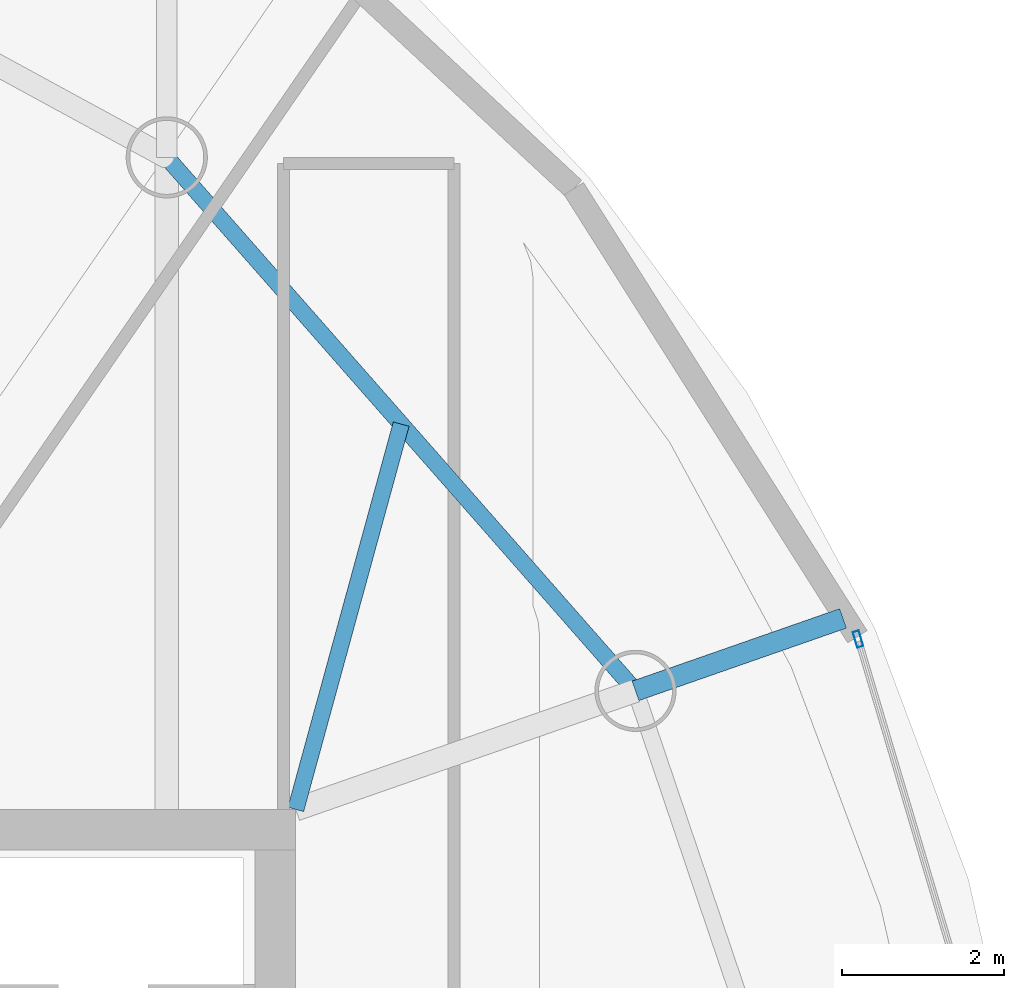
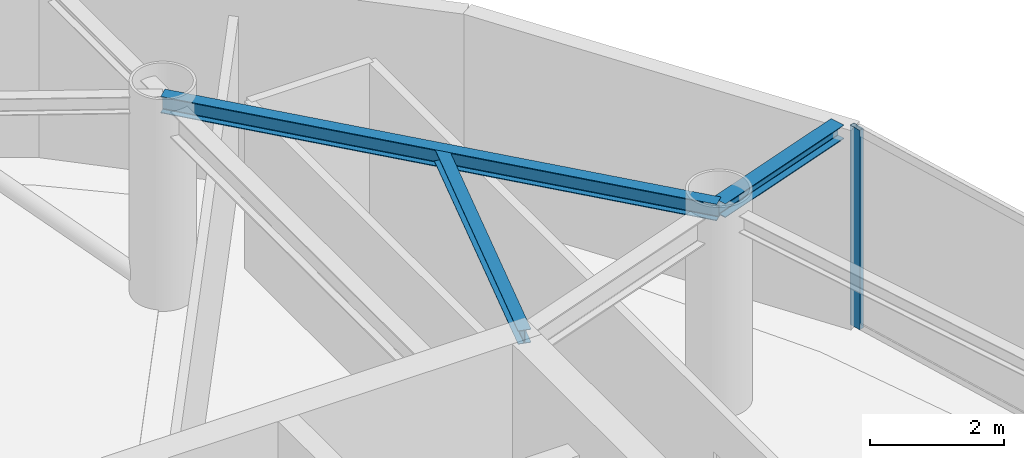
# One storey, part 15 of 23: 3 beams, 1 member, 1 element without a shape of its own.
"""IFC4 building model written with IfcOpenShell, lengths in metres."""

from ifc_helpers import new_model, si_unit, direction, frame, origin, origin_2d, place, context, subcontext, project, spatial, hollow_rectangle, i_section, extrude, material, layer, layer_set, material_profile, profile_set, type_object, element, aggregate, save


model = new_model("IFC4")

# Units and contexts
model_context = context("Model", 3, precision=1e-05, world=origin(), true_north=direction((0.0, 1.0)))
body_context = subcontext(model_context, "Body", "Model", "MODEL_VIEW")
ifc_project = project(units=[si_unit("LENGTHUNIT", "METRE"), si_unit("AREAUNIT", "SQUARE_METRE"), si_unit("VOLUMEUNIT", "CUBIC_METRE"), si_unit("PLANEANGLEUNIT", "RADIAN"), si_unit("MASSUNIT", "GRAM", prefix="KILO")], contexts=[model_context])

# Site, building, storey
site_placement = place(None, origin())
site = spatial("IfcSite", under=ifc_project, at=site_placement, CompositionType="ELEMENT")
building_placement = place(site_placement, origin())
building = spatial("IfcBuilding", under=site, at=building_placement, Name="Bramvorn Convention Spire", CompositionType="ELEMENT")
storey_placement = place(building_placement, frame((0.0, 0.0, 295.949951171875)))
storey = spatial("IfcBuildingStorey", under=building, at=storey_placement, Name="L75", CompositionType="ELEMENT", Elevation=295.949951171875)

# Beams
ifc_material_1 = material(Name="Steel CSA G40.21 Grade 350 (350W)", Category="steel")
ifc_material_profile_1 = material_profile(ifc_material_1, i_section(OverallWidth=0.201904296875, OverallDepth=0.2470703125, WebThickness=0.00732421875, FlangeThickness=0.010986328125, FilletRadius=0.011962890625, at=origin_2d()))
ifc_profile_set_1 = profile_set([ifc_material_profile_1], Name="Steel CSA G40.21 Grade 350 (350W) - W250X49")
beam_type_1 = type_object("IfcBeamType", Name="BM-W250X49", PredefinedType="JOIST", material=ifc_profile_set_1)
beam_1_placement = place(storey_placement, frame((49.25, 33.449951171875, 3.50146484375), z_axis=(0.26386506219, 0.96455960363, 0.0), x_axis=(-0.96455960363, 0.26386506219, 0.0)))
element("IfcBeam", 1, at=beam_1_placement, inside=storey, type_object=beam_type_1, Name="L75 composite floor joist 05", PredefinedType="JOIST", context=body_context, shape_type="SweptSolid", body=[
    extrude(i_section(OverallWidth=0.201904296875, OverallDepth=0.2470703125, WebThickness=0.00732421875, FlangeThickness=0.010986328125, FilletRadius=0.011962890625, at=origin_2d()), origin(), (0.0, 0.0, 1.0), 4.917724609375),
])
ifc_material_profile_2 = material_profile(ifc_material_1, i_section(OverallWidth=0.25390625, OverallDepth=0.2529296875, WebThickness=0.008544921875, FlangeThickness=0.01416015625, FilletRadius=0.011962890625, at=origin_2d()))
ifc_profile_set_2 = profile_set([ifc_material_profile_2], Name="Steel CSA G40.21 Grade 350 (350W) - W250X73")
beam_type_2 = type_object("IfcBeamType", Name="BM-W250X73", PredefinedType="BEAM", material=ifc_profile_set_2)
beam_2_placement = place(storey_placement, frame((53.4326171875, 34.909912109375, 3.49853515625), z_axis=(0.944122501874, 0.329594753378, 0.0), x_axis=(-0.329594753378, 0.944122501874, 0.0)))
element("IfcBeam", 2, at=beam_2_placement, inside=storey, type_object=beam_type_2, Name="L75 slab-edge cantilever tip beam MC05", PredefinedType="BEAM", context=body_context, shape_type="SweptSolid", body=[
    extrude(i_section(OverallWidth=0.25390625, OverallDepth=0.2529296875, WebThickness=0.008544921875, FlangeThickness=0.01416015625, FilletRadius=0.011962890625, at=origin_2d()), origin(), (0.0, 0.0, 1.0), 2.705810546875),
])
ifc_material_profile_3 = material_profile(ifc_material_1, i_section(OverallWidth=0.202880859375, OverallDepth=0.302978515625, WebThickness=0.007568359375, FlangeThickness=0.01318359375, FilletRadius=0.013916015625, at=origin_2d()))
ifc_profile_set_3 = profile_set([ifc_material_profile_3], Name="Steel CSA G40.21 Grade 350 (350W) - W310X60")
beam_type_3 = type_object("IfcBeamType", Name="BM-W310X60", PredefinedType="JOIST", material=ifc_profile_set_3)
beam_3_placement = place(storey_placement, frame((53.4326171875, 34.909912109375, 3.4736328125), z_axis=(-0.660073062339, 0.751201405999, 0.0), x_axis=(-0.751201405999, -0.660073062339, 0.0)))
element("IfcBeam", 3, at=beam_3_placement, inside=storey, type_object=beam_type_3, Name="L75 mega-column ring beam 05", PredefinedType="JOIST", context=body_context, shape_type="SweptSolid", body=[
    extrude(i_section(OverallWidth=0.202880859375, OverallDepth=0.302978515625, WebThickness=0.007568359375, FlangeThickness=0.01318359375, FilletRadius=0.013916015625, at=origin_2d()), origin(), (0.0, 0.0, 1.0), 8.741943359375),
])

# Curtain wall, member
ifc_material_2 = material(Name="Anodised Bronze Unitised Curtain Wall", Category="aluminium")
ifc_layer = layer(ifc_material_2, 0.179931640625)
ifc_layer_set = layer_set([ifc_layer], Name="Anodised Bronze Unitised Curtain Wall - CW-OFF-FRIT")
curtain_wall_type = type_object("IfcCurtainWallType", Name="CW-OFF-FRIT", PredefinedType="USERDEFINED", material=ifc_layer_set)
curtain_wall_placement = place(storey_placement, origin())
curtain_wall = element("IfcCurtainWall", 4, at=curtain_wall_placement, inside=storey, type_object=curtain_wall_type, Name="L75 fritted glass curtain wall 06", ObjectType="UNITISED CURTAIN WALL", PredefinedType="USERDEFINED")
ifc_material_3 = material(Name="Anodised Bronze Aluminium 6063-T6", Category="aluminium")
ifc_material_profile_4 = material_profile(ifc_material_3, hollow_rectangle(XDim=0.080078125, YDim=0.199951171875, WallThickness=0.00390625, InnerFilletRadius=0.0009765625, OuterFilletRadius=0.00390625, at=origin_2d()))
ifc_profile_set_4 = profile_set([ifc_material_profile_4], Name="Anodised Bronze Aluminium 6063-T6 - CWM80X200")
member_type = type_object("IfcMemberType", Name="CW-MUL-180", PredefinedType="MULLION", material=ifc_profile_set_4)
member_placement = place(storey_placement, frame((56.172119140625, 35.5478515625, 0.0), z_axis=(0.0, 0.0, 1.0), x_axis=(0.958477406758, 0.285168477807, 0.0)))
member = element("IfcMember", 5, at=member_placement, type_object=member_type, Name="CW3 mullion 1", PredefinedType="MULLION", context=body_context, shape_type="SweptSolid", body=[
    extrude(hollow_rectangle(XDim=0.080078125, YDim=0.199951171875, WallThickness=0.00390625, InnerFilletRadius=0.0009765625, OuterFilletRadius=0.00390625, at=origin_2d()), origin(), (0.0, 0.0, 1.0), 3.625),
])
aggregate(curtain_wall, [member])

save(model, "model.ifc")
